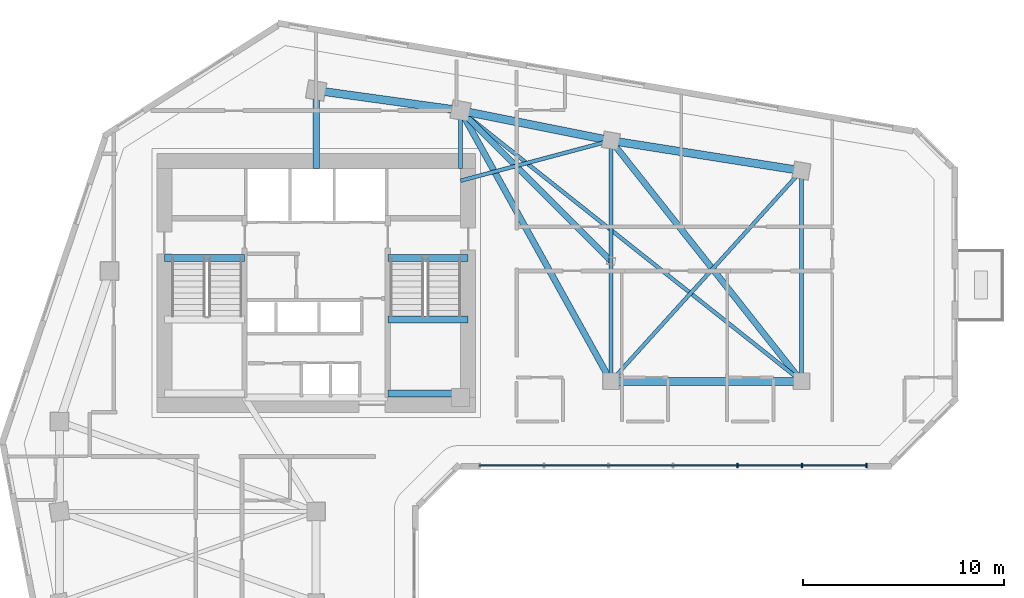
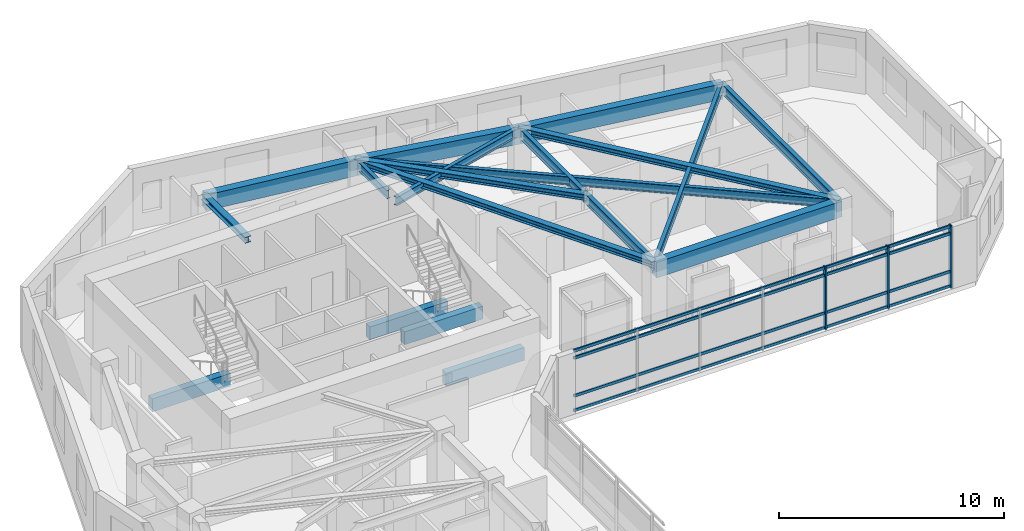
# One storey, part 3 of 14: 18 beams, 7 members, 1 element without a shape of its own.
"""IFC4 building model written with IfcOpenShell, lengths in metres."""

from ifc_helpers import new_model, si_unit, direction, frame, origin, origin_2d, place, context, subcontext, project, spatial, rectangle, i_section, extrude, source, transform, mapped, material, material_profile, profile_set, type_object, element, aggregate, save


model = new_model("IFC4")

# Units and contexts
model_context = context("Model", 3, precision=1e-05, world=origin(), true_north=direction((0.0, 1.0)))
body_context = subcontext(model_context, "Body", "Model", "MODEL_VIEW")
ifc_project = project(units=[si_unit("LENGTHUNIT", "METRE"), si_unit("AREAUNIT", "SQUARE_METRE"), si_unit("VOLUMEUNIT", "CUBIC_METRE"), si_unit("PLANEANGLEUNIT", "RADIAN"), si_unit("MASSUNIT", "GRAM", prefix="KILO")], contexts=[model_context])

# Site, building, storey
site_placement = place(None, origin())
site = spatial("IfcSite", under=ifc_project, at=site_placement, CompositionType="ELEMENT")
building_placement = place(site_placement, origin())
building = spatial("IfcBuilding", under=site, at=building_placement, Name="Calvemar Wedge Station Tower", CompositionType="ELEMENT")
storey_placement = place(building_placement, frame((0.0, 0.0, 128.60009765625)))
storey = spatial("IfcBuildingStorey", under=building, at=storey_placement, Name="L31", CompositionType="ELEMENT", Elevation=128.60009765625)

# Beams
ifc_material_1 = material(Name="Concrete C60", Category="concrete")
ifc_material_profile_1 = material_profile(ifc_material_1, rectangle(XDim=0.39990234375, YDim=0.85009765625, at=origin_2d()), Name="RC400x850")
ifc_profile_set_1 = profile_set([ifc_material_profile_1], Name="Concrete C60")
beam_type_1 = type_object("IfcBeamType", Name="BM-SP1-850", PredefinedType="SPANDREL", material=ifc_profile_set_1)
shared_shape_1 = source(origin(), body_context, "Body", "SweptSolid", [
    extrude(rectangle(XDim=0.39990234375, YDim=0.85009765625, at=origin_2d()), origin(), (0.0, 0.0, 1.0), 7.26904296875),
])
beam_1_placement = place(storey_placement, frame((23.800048828125, 49.5, 2.9248046875), z_axis=(0.990492146053, -0.13756928657, 0.0), x_axis=(0.13756928657, 0.990492146053, 0.0)))
element("IfcBeam", 1, at=beam_1_placement, inside=storey, type_object=beam_type_1, Name="Storey L31 Spandrel T-N1-T-N2", PredefinedType="SPANDREL", context=body_context, shape_type="MappedRepresentation", body=[
    mapped(shared_shape_1, transform((0.0, 0.0, 0.0), scale=1.0)),
])
shared_shape_2 = source(origin(), body_context, "Body", "SweptSolid", [
    extrude(rectangle(XDim=0.39990234375, YDim=0.85009765625, at=origin_2d()), origin(), (0.0, 0.0, 1.0), 7.6484375),
])
beam_2_placement = place(storey_placement, frame((31.0, 48.5, 2.9248046875), z_axis=(0.980580675691, -0.196116135138, 0.0), x_axis=(0.196116135138, 0.980580675691, 0.0)))
element("IfcBeam", 2, at=beam_2_placement, inside=storey, type_object=beam_type_1, Name="Storey L31 Spandrel T-N2-T-NU3", PredefinedType="SPANDREL", context=body_context, shape_type="MappedRepresentation", body=[
    mapped(shared_shape_2, transform((0.0, 0.0, 0.0), scale=1.0)),
])
shared_shape_3 = source(origin(), body_context, "Body", "SweptSolid", [
    extrude(rectangle(XDim=0.39990234375, YDim=0.85009765625, at=origin_2d()), origin(), (0.0, 0.0, 1.0), 9.61767578125),
])
beam_3_placement = place(storey_placement, frame((38.5, 47.0, 2.9248046875), z_axis=(0.987762965329, -0.155962573473, 0.0), x_axis=(0.155962573473, 0.987762965329, 0.0)))
element("IfcBeam", 3, at=beam_3_placement, inside=storey, type_object=beam_type_1, Name="Storey L31 Spandrel T-NU3-T-NU4", PredefinedType="SPANDREL", context=body_context, shape_type="MappedRepresentation", body=[
    mapped(shared_shape_3, transform((0.0, 0.0, 0.0), scale=1.0)),
])
shared_shape_4 = source(origin(), body_context, "Body", "SweptSolid", [
    extrude(rectangle(XDim=0.39990234375, YDim=0.85009765625, at=origin_2d()), origin(), (0.0, 0.0, 1.0), 9.5),
])
beam_4_placement = place(storey_placement, frame((38.5, 35.0, 2.9248046875), z_axis=(1.0, 0.0, 0.0), x_axis=(0.0, 1.0, 0.0)))
element("IfcBeam", 4, at=beam_4_placement, inside=storey, type_object=beam_type_1, Name="Storey L31 Spandrel T-NL2-T-NL3", PredefinedType="SPANDREL", context=body_context, shape_type="MappedRepresentation", body=[
    mapped(shared_shape_4, transform((0.0, 0.0, 0.0), scale=1.0)),
])
ifc_material_2 = material(Name="Structural steel ASTM A572 Grade 50", Category="steel")
ifc_material_profile_2 = material_profile(ifc_material_2, i_section(OverallWidth=0.30908203125, OverallDepth=0.322998046875, WebThickness=0.013916015625, FlangeThickness=0.02294921875, FilletRadius=0.014892578125, at=origin_2d()), Name="W310x143")
ifc_profile_set_2 = profile_set([ifc_material_profile_2], Name="Structural steel ASTM A572 Grade 50")
beam_type_2 = type_object("IfcBeamType", Name="BM-J5-W310H", PredefinedType="JOIST", material=ifc_profile_set_2)
shared_shape_5 = source(origin(), body_context, "Body", "SweptSolid", [
    extrude(i_section(OverallWidth=0.30908203125, OverallDepth=0.322998046875, WebThickness=0.013916015625, FlangeThickness=0.02294921875, FilletRadius=0.014892578125, at=origin_2d()), origin(), (0.0, 0.0, 1.0), 15.443359375),
])
beam_5_placement = place(storey_placement, frame((31.0, 48.5, 3.1884765625), z_axis=(0.485642931179, -0.874157276122, 0.0), x_axis=(0.874157276122, 0.485642931179, 0.0)))
element("IfcBeam", 5, at=beam_5_placement, inside=storey, type_object=beam_type_2, Name="Storey L31 Floor Beam T-N2-T-NL2", PredefinedType="JOIST", context=body_context, shape_type="MappedRepresentation", body=[
    mapped(shared_shape_5, transform((0.0, 0.0, 0.0), scale=1.0)),
])
ifc_material_profile_3 = material_profile(ifc_material_2, i_section(OverallWidth=0.19189453125, OverallDepth=0.462890625, WebThickness=0.010498046875, FlangeThickness=0.017578125, FilletRadius=0.012939453125, at=origin_2d()), Name="W460x89")
ifc_profile_set_3 = profile_set([ifc_material_profile_3], Name="Structural steel ASTM A572 Grade 50")
beam_type_3 = type_object("IfcBeamType", Name="BM-J1-W460", PredefinedType="JOIST", material=ifc_profile_set_3)
shared_shape_6 = source(origin(), body_context, "Body", "SweptSolid", [
    extrude(i_section(OverallWidth=0.19189453125, OverallDepth=0.462890625, WebThickness=0.010498046875, FlangeThickness=0.017578125, FilletRadius=0.012939453125, at=origin_2d()), origin(), (0.0, 0.0, 1.0), 21.708251953125),
])
beam_6_placement = place(storey_placement, frame((31.0, 48.5, 3.118408203125), z_axis=(0.783110847498, -0.621882143602, 0.0), x_axis=(0.621882143602, 0.783110847498, 0.0)))
element("IfcBeam", 6, at=beam_6_placement, inside=storey, type_object=beam_type_3, Name="Storey L31 Floor Beam T-N2-T-NL3", PredefinedType="JOIST", context=body_context, shape_type="MappedRepresentation", body=[
    mapped(shared_shape_6, transform((0.0, 0.0, 0.0), scale=1.0)),
])
shared_shape_7 = source(origin(), body_context, "Body", "SweptSolid", [
    extrude(i_section(OverallWidth=0.30908203125, OverallDepth=0.322998046875, WebThickness=0.013916015625, FlangeThickness=0.02294921875, FilletRadius=0.014892578125, at=origin_2d()), origin(), (0.0, 0.0, 1.0), 15.30517578125),
])
beam_7_placement = place(storey_placement, frame((38.5, 47.0, 3.1884765625), z_axis=(0.620702944366, -0.784045824462, 0.0), x_axis=(0.784045824462, 0.620702944366, 0.0)))
element("IfcBeam", 7, at=beam_7_placement, inside=storey, type_object=beam_type_2, Name="Storey L31 Floor Beam T-NU3-T-NL3", PredefinedType="JOIST", context=body_context, shape_type="MappedRepresentation", body=[
    mapped(shared_shape_7, transform((0.0, 0.0, 0.0), scale=1.0)),
])
shared_shape_8 = source(origin(), body_context, "Body", "SweptSolid", [
    extrude(i_section(OverallWidth=0.19189453125, OverallDepth=0.462890625, WebThickness=0.010498046875, FlangeThickness=0.017578125, FilletRadius=0.012939453125, at=origin_2d()), origin(), (0.0, 0.0, 1.0), 14.159912109375),
])
beam_8_placement = place(storey_placement, frame((38.5, 35.0, 3.118408203125), z_axis=(0.670913323969, 0.741535779124, 0.0), x_axis=(-0.741535779124, 0.670913323969, 0.0)))
element("IfcBeam", 8, at=beam_8_placement, inside=storey, type_object=beam_type_3, Name="Storey L31 Floor Beam T-NL2-T-NU4", PredefinedType="JOIST", context=body_context, shape_type="MappedRepresentation", body=[
    mapped(shared_shape_8, transform((0.0, 0.0, 0.0), scale=1.0)),
])
shared_shape_9 = source(origin(), body_context, "Body", "SweptSolid", [
    extrude(i_section(OverallWidth=0.19189453125, OverallDepth=0.462890625, WebThickness=0.010498046875, FlangeThickness=0.017578125, FilletRadius=0.012939453125, at=origin_2d()), origin(), (0.0, 0.0, 1.0), 7.76220703125),
])
beam_9_placement = place(storey_placement, frame((31.0, 45.0, 3.118408203125), z_axis=(0.966234939601, 0.25766265056, 0.0), x_axis=(-0.25766265056, 0.966234939601, 0.0)))
element("IfcBeam", 9, at=beam_9_placement, inside=storey, type_object=beam_type_3, Name="Storey L31 Core-to-Column Joist CJ-E2", PredefinedType="JOIST", context=body_context, shape_type="MappedRepresentation", body=[
    mapped(shared_shape_9, transform((0.0, 0.0, 0.0), scale=1.0)),
])
shared_shape_10 = source(origin(), body_context, "Body", "SweptSolid", [
    extrude(i_section(OverallWidth=0.30908203125, OverallDepth=0.322998046875, WebThickness=0.013916015625, FlangeThickness=0.02294921875, FilletRadius=0.014892578125, at=origin_2d()), origin(), (0.0, 0.0, 1.0), 3.89990234375),
])
beam_10_placement = place(storey_placement, frame((23.800048828125, 45.60009765625, 3.1884765625), z_axis=(0.0, 1.0, 0.0), x_axis=(-1.0, 0.0, 0.0)))
element("IfcBeam", 10, at=beam_10_placement, inside=storey, type_object=beam_type_2, Name="Storey L31 Core-to-Column Joist CJ-N1", PredefinedType="JOIST", context=body_context, shape_type="MappedRepresentation", body=[
    mapped(shared_shape_10, transform((0.0, 0.0, 0.0), scale=1.0)),
])
shared_shape_11 = source(origin(), body_context, "Body", "SweptSolid", [
    extrude(i_section(OverallWidth=0.19189453125, OverallDepth=0.462890625, WebThickness=0.010498046875, FlangeThickness=0.017578125, FilletRadius=0.012939453125, at=origin_2d()), origin(), (0.0, 0.0, 1.0), 2.89990234375),
])
beam_11_placement = place(storey_placement, frame((31.0, 45.60009765625, 3.118408203125), z_axis=(0.0, 1.0, 0.0), x_axis=(-1.0, 0.0, 0.0)))
element("IfcBeam", 11, at=beam_11_placement, inside=storey, type_object=beam_type_3, Name="Storey L31 Core-to-Column Joist CJ-N2", PredefinedType="JOIST", context=body_context, shape_type="MappedRepresentation", body=[
    mapped(shared_shape_11, transform((0.0, 0.0, 0.0), scale=1.0)),
])
ifc_material_3 = material(Name="Concrete C70", Category="concrete")
ifc_material_profile_4 = material_profile(ifc_material_3, rectangle(XDim=0.35009765625, YDim=0.699951171875, at=origin_2d()), Name="RC350x700")
ifc_profile_set_4 = profile_set([ifc_material_profile_4], Name="Concrete C70")
beam_type_4 = type_object("IfcBeamType", Name="BM-LN1-700", PredefinedType="LINTEL", material=ifc_profile_set_4)
shared_shape_12 = source(origin(), body_context, "Body", "SweptSolid", [
    extrude(rectangle(XDim=0.35009765625, YDim=0.699951171875, at=origin_2d()), origin(), (0.0, 0.0, 1.0), 4.0048828125),
])
for number, where, z_axis, x_axis, name in (
    (12, (16.22509765625, 41.14990234375, -0.35009765625), (1.0, 0.0, 0.0), (0.0, 1.0, 0.0), "Storey L31 Stair ST-C1 Landing Trimmer Beam"),
    (13, (27.3701171875, 41.14990234375, -0.35009765625), (1.0, 0.0, 0.0), (0.0, 1.0, 0.0), "Storey L31 Stair ST-C2 Landing Trimmer Beam"),
    (14, (27.3701171875, 34.3798828125, 1.25), (1.0, 0.0, 0.0), (0.0, 1.0, 0.0), "Storey L31 Stair ST-C2 Half-Landing Beam 1A"),
    (15, (27.3701171875, 38.070068359375, 1.25), (1.0, 0.0, 0.0), (0.0, 1.0, 0.0), "Storey L31 Stair ST-C2 Half-Landing Beam 1B"),
):
    element("IfcBeam", number, at=place(storey_placement, frame(where, z_axis=z_axis, x_axis=x_axis)), inside=storey, type_object=beam_type_4, Name=name, PredefinedType="LINTEL", context=body_context, shape_type="MappedRepresentation", body=[
        mapped(shared_shape_12, transform((0.0, 0.0, 0.0), scale=1.0)),
    ])
ifc_material_profile_5 = material_profile(ifc_material_2, i_section(OverallWidth=0.2109375, OverallDepth=0.5390625, WebThickness=0.01171875, FlangeThickness=0.018798828125, FilletRadius=0.012939453125, at=origin_2d()), Name="W530x109")
ifc_profile_set_5 = profile_set([ifc_material_profile_5], Name="Structural steel ASTM A572 Grade 50")
beam_type_5 = type_object("IfcBeamType", Name="BM-SB4-W530", PredefinedType="BEAM", material=ifc_profile_set_5)
shared_shape_13 = source(origin(), body_context, "Body", "SweptSolid", [
    extrude(i_section(OverallWidth=0.2109375, OverallDepth=0.5390625, WebThickness=0.01171875, FlangeThickness=0.018798828125, FilletRadius=0.012939453125, at=origin_2d()), origin(), (0.0, 0.0, 1.0), 12.0),
])
beam_12_placement = place(storey_placement, frame((38.5, 47.0, 3.080322265625), z_axis=(0.0, -1.0, 0.0), x_axis=(1.0, 0.0, 0.0)))
element("IfcBeam", 16, at=beam_12_placement, inside=storey, type_object=beam_type_5, Name="Storey L31 Floor Beam T-NU3-T-NL2", PredefinedType="BEAM", context=body_context, shape_type="MappedRepresentation", body=[
    mapped(shared_shape_13, transform((0.0, 0.0, 0.0), scale=1.0)),
])
shared_shape_14 = source(origin(), body_context, "Body", "SweptSolid", [
    extrude(i_section(OverallWidth=0.2109375, OverallDepth=0.5390625, WebThickness=0.01171875, FlangeThickness=0.018798828125, FilletRadius=0.012939453125, at=origin_2d()), origin(), (0.0, 0.0, 1.0), 10.5),
])
beam_13_placement = place(storey_placement, frame((48.0, 45.5, 3.080322265625), z_axis=(0.0, -1.0, 0.0), x_axis=(1.0, 0.0, 0.0)))
element("IfcBeam", 17, at=beam_13_placement, inside=storey, type_object=beam_type_5, Name="Storey L31 Floor Beam T-NU4-T-NL3", PredefinedType="BEAM", context=body_context, shape_type="MappedRepresentation", body=[
    mapped(shared_shape_14, transform((0.0, 0.0, 0.0), scale=1.0)),
])
shared_shape_15 = source(origin(), body_context, "Body", "SweptSolid", [
    extrude(i_section(OverallWidth=0.30908203125, OverallDepth=0.322998046875, WebThickness=0.013916015625, FlangeThickness=0.02294921875, FilletRadius=0.014892578125, at=origin_2d()), origin(), (0.0, 0.0, 1.0), 10.606689453125),
])
beam_14_placement = place(storey_placement, frame((38.5, 41.0, 3.1884765625), z_axis=(-0.707106781187, 0.707106781187, 0.0), x_axis=(-0.707106781187, -0.707106781187, 0.0)))
element("IfcBeam", 18, at=beam_14_placement, inside=storey, type_object=beam_type_2, Name="Storey L31 Floor Beam T-NTIP-B-T-N2", PredefinedType="JOIST", context=body_context, shape_type="MappedRepresentation", body=[
    mapped(shared_shape_15, transform((0.0, 0.0, 0.0), scale=1.0)),
])

# Curtain wall, members
ifc_material_4 = material(Name="Anodised aluminium 6063-T6", Category="aluminium")
curtain_wall_type = type_object("IfcCurtainWallType", Name="CW2", PredefinedType="NOTDEFINED", material=ifc_material_4)
curtain_wall_placement = place(storey_placement, origin())
curtain_wall = element("IfcCurtainWall", 19, at=curtain_wall_placement, inside=storey, type_object=curtain_wall_type, Name="Storey L31 CW2 Recessed Unitised Curtain Wall 6", PredefinedType="NOTDEFINED")
ifc_material_profile_6 = material_profile(ifc_material_4, rectangle(XDim=0.074951171875, YDim=0.219970703125, at=origin_2d()), Name="AL-MUL-75x220")
ifc_profile_set_6 = profile_set([ifc_material_profile_6], Name="Anodised aluminium 6063-T6")
member_type_1 = type_object("IfcMemberType", Name="CW2-MUL", PredefinedType="MULLION", material=ifc_profile_set_6)
shared_shape_16 = source(origin(), body_context, "Body", "SweptSolid", [
    extrude(rectangle(XDim=0.074951171875, YDim=0.219970703125, at=origin_2d()), origin(), (0.0, 0.0, 1.0), 3.39990234375),
])
member_1_placement = place(storey_placement, frame((44.80322265625, 30.802001953125, -0.050048828125), z_axis=(0.0, 0.0, 1.0), x_axis=(1.0, 0.0, 0.0)))
member_1 = element("IfcMember", 20, at=member_1_placement, type_object=member_type_1, Name="CW2 mullion 5", PredefinedType="MULLION", context=body_context, shape_type="MappedRepresentation", body=[
    mapped(shared_shape_16, transform((0.0, 0.0, 0.0), scale=1.0)),
])
member_2_placement = place(storey_placement, frame((48.0205078125, 30.802001953125, -0.050048828125), z_axis=(0.0, 0.0, 1.0), x_axis=(1.0, 0.0, 0.0)))
member_2 = element("IfcMember", 21, at=member_2_placement, type_object=member_type_1, Name="CW2 mullion 6", PredefinedType="MULLION", context=body_context, shape_type="MappedRepresentation", body=[
    mapped(shared_shape_16, transform((0.0, 0.0, 0.0), scale=1.0)),
])
member_3_placement = place(storey_placement, frame((51.23779296875, 30.802001953125, -0.050048828125), z_axis=(0.0, 0.0, 1.0), x_axis=(1.0, 0.0, 0.0)))
member_3 = element("IfcMember", 22, at=member_3_placement, type_object=member_type_1, Name="CW2 mullion 7", PredefinedType="MULLION", context=body_context, shape_type="MappedRepresentation", body=[
    mapped(shared_shape_16, transform((0.0, 0.0, 0.0), scale=1.0)),
])
ifc_material_profile_7 = material_profile(ifc_material_4, rectangle(XDim=0.074951171875, YDim=0.14990234375, at=origin_2d()), Name="AL-TRN-75x150")
ifc_profile_set_7 = profile_set([ifc_material_profile_7], Name="Anodised aluminium 6063-T6")
member_type_2 = type_object("IfcMemberType", Name="CW2-TRN", PredefinedType="USERDEFINED", material=ifc_profile_set_7)
shared_shape_17 = source(origin(), body_context, "Body", "SweptSolid", [
    extrude(rectangle(XDim=0.074951171875, YDim=0.14990234375, at=origin_2d()), origin(), (0.0, 0.0, 1.0), 19.303955078125),
])
member_4_placement = place(storey_placement, frame((31.933837890625, 30.802001953125, 0.059814453125), z_axis=(1.0, 0.0, 0.0), x_axis=(0.0, 1.0, 0.0)))
member_4 = element("IfcMember", 23, at=member_4_placement, type_object=member_type_2, Name="CW2 transom 1", ObjectType="TRANSOM", PredefinedType="USERDEFINED", context=body_context, shape_type="MappedRepresentation", body=[
    mapped(shared_shape_17, transform((0.0, 0.0, 0.0), scale=1.0)),
])
member_5_placement = place(storey_placement, frame((31.933837890625, 30.802001953125, 0.849853515625), z_axis=(1.0, 0.0, 0.0), x_axis=(0.0, 1.0, 0.0)))
member_5 = element("IfcMember", 24, at=member_5_placement, type_object=member_type_2, Name="CW2 transom 2", ObjectType="TRANSOM", PredefinedType="USERDEFINED", context=body_context, shape_type="MappedRepresentation", body=[
    mapped(shared_shape_17, transform((0.0, 0.0, 0.0), scale=1.0)),
])
member_6_placement = place(storey_placement, frame((31.933837890625, 30.802001953125, 2.89990234375), z_axis=(1.0, 0.0, 0.0), x_axis=(0.0, 1.0, 0.0)))
member_6 = element("IfcMember", 25, at=member_6_placement, type_object=member_type_2, Name="CW2 transom 3", ObjectType="TRANSOM", PredefinedType="USERDEFINED", context=body_context, shape_type="MappedRepresentation", body=[
    mapped(shared_shape_17, transform((0.0, 0.0, 0.0), scale=1.0)),
])
member_7_placement = place(storey_placement, frame((31.933837890625, 30.802001953125, 3.289794921875), z_axis=(1.0, 0.0, 0.0), x_axis=(0.0, 1.0, 0.0)))
member_7 = element("IfcMember", 26, at=member_7_placement, type_object=member_type_2, Name="CW2 transom 4", ObjectType="TRANSOM", PredefinedType="USERDEFINED", context=body_context, shape_type="MappedRepresentation", body=[
    mapped(shared_shape_17, transform((0.0, 0.0, 0.0), scale=1.0)),
])
aggregate(curtain_wall, [member_1, member_2, member_3, member_4, member_5, member_6, member_7])

save(model, "model.ifc")
